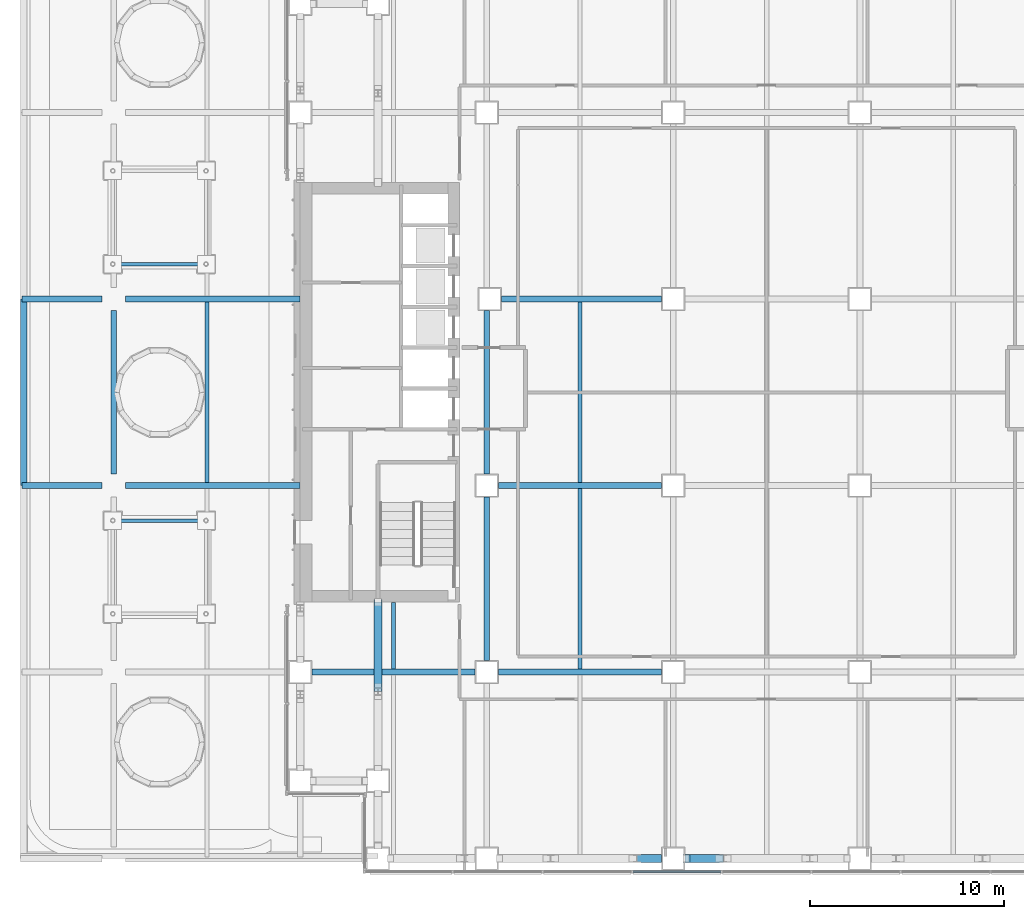
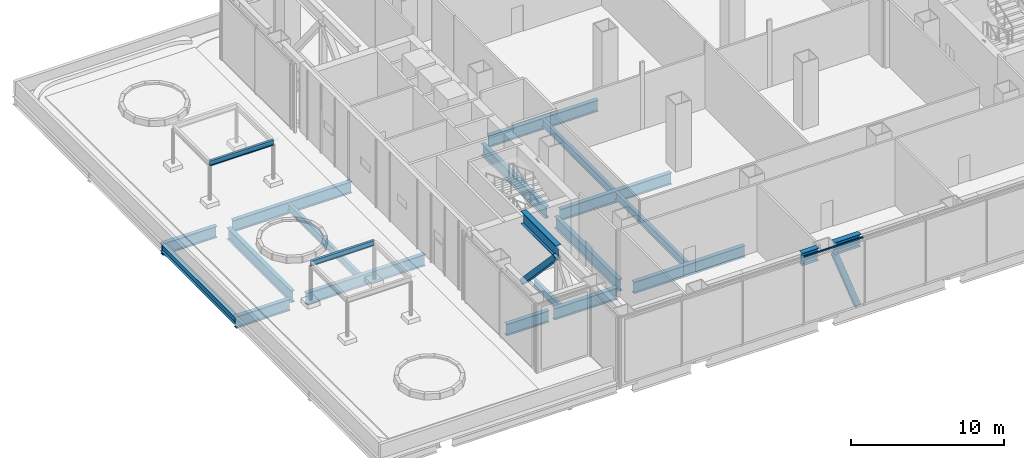
# One storey, part 8 of 39: 19 beams, 6 members, 1 element without a shape of its own.
"""IFC4 building model written with IfcOpenShell, lengths in metres."""

from ifc_helpers import new_model, si_unit, direction, frame, origin, origin_2d, place, context, subcontext, project, spatial, rectangle, hollow_rectangle, i_section, extrude, material, material_profile, profile_set, type_object, element, aggregate, save


model = new_model("IFC4")

# Units and contexts
model_context = context("Model", 3, precision=1e-05, world=origin(), true_north=direction((0.0, 1.0)))
body_context = subcontext(model_context, "Body", "Model", "MODEL_VIEW")
ifc_project = project(units=[si_unit("LENGTHUNIT", "METRE"), si_unit("AREAUNIT", "SQUARE_METRE"), si_unit("VOLUMEUNIT", "CUBIC_METRE"), si_unit("PLANEANGLEUNIT", "RADIAN"), si_unit("MASSUNIT", "GRAM", prefix="KILO")], contexts=[model_context])

# Site, building, storey
site_placement = place(None, origin())
site = spatial("IfcSite", under=ifc_project, at=site_placement, CompositionType="ELEMENT")
building_placement = place(site_placement, origin())
building = spatial("IfcBuilding", under=site, at=building_placement, Name="Cobrizo Arcos Hotel Tower", CompositionType="ELEMENT")
storey_placement = place(building_placement, frame((0.0, 0.0, 33.5)))
storey = spatial("IfcBuildingStorey", under=building, at=storey_placement, Name="L06", CompositionType="ELEMENT", Elevation=33.5)

# Curtain wall, member
ifc_material_1 = material(Name="Aluminium 6063-T6 anodised bronze", Category="aluminium")
curtain_wall_type = type_object("IfcCurtainWallType", Name="CW-D plant louvre wall", PredefinedType="NOTDEFINED", material=ifc_material_1)
curtain_wall_placement = place(storey_placement, origin())
curtain_wall = element("IfcCurtainWall", 1, at=curtain_wall_placement, inside=storey, type_object=curtain_wall_type, Name="CW-D L06 S face", PredefinedType="NOTDEFINED")
ifc_material_profile_1 = material_profile(ifc_material_1, rectangle(XDim=0.10009765625, YDim=0.10009765625, at=origin_2d()), Name="CW-D transom 100x100")
ifc_profile_set_1 = profile_set([ifc_material_profile_1], Name="Aluminium 6063-T6 anodised bronze")
member_type_1 = type_object("IfcMemberType", Name="CW-D transom 100x100", PredefinedType="USERDEFINED", material=ifc_profile_set_1)
member_1_placement = place(storey_placement, frame((-6.86669921875, -24.675048828125, 5.449951171875), z_axis=(1.0, 0.0, 0.0), x_axis=(0.0, 1.0, 0.0)))
member_1 = element("IfcMember", 2, at=member_1_placement, type_object=member_type_1, Name="CW-D transom 326", ObjectType="TRANSOM", PredefinedType="USERDEFINED", context=body_context, shape_type="SweptSolid", body=[
    extrude(rectangle(XDim=0.10009765625, YDim=0.10009765625, at=origin_2d()), origin(), (0.0, 0.0, 1.0), 4.51123046875),
])
aggregate(curtain_wall, [member_1])

# Members
ifc_material_2 = material(Name="Steel ASTM A500 Grade C", Category="steel")
ifc_material_profile_2 = material_profile(ifc_material_2, hollow_rectangle(XDim=0.406494140625, YDim=0.406494140625, WallThickness=0.014892578125, at=origin_2d()), Name="HSS16X16X5/8")
ifc_profile_set_2 = profile_set([ifc_material_profile_2], Name="Steel ASTM A500 Grade C")
member_type_2 = type_object("IfcMemberType", Name="HSS16X16X5/8 truss diagonal", PredefinedType="BRACE", material=ifc_profile_set_2)
member_2_placement = place(storey_placement, frame((-4.1201171875, -24.0, 4.359375), z_axis=(0.342395189483, 0.0, -0.939556030378), x_axis=(0.0, 1.0, 0.0)))
element("IfcMember", 3, at=member_2_placement, inside=storey, type_object=member_type_2, Name="Belt truss diagonal TD1, L06, no. 004", PredefinedType="BRACE", context=body_context, shape_type="SweptSolid", body=[
    extrude(hollow_rectangle(XDim=0.406494140625, YDim=0.406494140625, WallThickness=0.014892578125, at=origin_2d()), origin(), (0.0, 0.0, 1.0), 4.959228515625),
])
member_3_placement = place(storey_placement, frame((-20.0, -10.800048828125, -0.300048828125), z_axis=(0.0, -0.68656871731, 0.72706491898), x_axis=(1.0, 0.0, 0.0)))
element("IfcMember", 4, at=member_3_placement, inside=storey, type_object=member_type_2, Name="Outrigger diagonal TD1, L06, no. 007", PredefinedType="BRACE", context=body_context, shape_type="SweptSolid", body=[
    extrude(hollow_rectangle(XDim=0.406494140625, YDim=0.406494140625, WallThickness=0.014892578125, at=origin_2d()), origin(), (0.0, 0.0, 1.0), 6.408447265625),
])

# Beams
ifc_material_3 = material(Name="Steel ASTM A992 Grade 50", Category="steel")
ifc_material_profile_3 = material_profile(ifc_material_3, i_section(OverallWidth=0.177734375, OverallDepth=0.406494140625, WebThickness=0.0078125, FlangeThickness=0.0126953125, at=origin_2d()), Name="W16X40")
ifc_profile_set_3 = profile_set([ifc_material_profile_3], Name="Steel ASTM A992 Grade 50")
beam_type_1 = type_object("IfcBeamType", Name="W16X40 pavilion beam", PredefinedType="BEAM", material=ifc_profile_set_3)
for number, where, z_axis, x_axis, name in (
    (5, (-28.85009765625, -6.60009765625, 3.353271484375), (-1.0, 0.0, 0.0), (0.0, -1.0, 0.0), "Pavilion 1 beam 3"),
    (6, (-33.64990234375, 6.60009765625, 3.353271484375), (1.0, 0.0, 0.0), (0.0, 1.0, 0.0), "Pavilion 2 beam 1"),
):
    element("IfcBeam", number, at=place(storey_placement, frame(where, z_axis=z_axis, x_axis=x_axis)), inside=storey, type_object=beam_type_1, Name=name, PredefinedType="BEAM", context=body_context, shape_type="SweptSolid", body=[
        extrude(i_section(OverallWidth=0.177734375, OverallDepth=0.406494140625, WebThickness=0.0078125, FlangeThickness=0.0126953125, at=origin_2d()), origin(), (0.0, 0.0, 1.0), 4.7998046875),
    ])
ifc_material_profile_4 = material_profile(ifc_material_3, i_section(OverallWidth=0.32763671875, OverallDepth=0.622314453125, WebThickness=0.015380859375, FlangeThickness=0.0244140625, at=origin_2d()), Name="W24X131")
ifc_profile_set_4 = profile_set([ifc_material_profile_4], Name="Steel ASTM A992 Grade 50")
beam_type_2 = type_object("IfcBeamType", Name="W24X131 edge beam", PredefinedType="BEAM", material=ifc_profile_set_4)
beam_1_placement = place(storey_placement, frame((-38.236083984375, -4.800048828125, -0.611083984375), z_axis=(0.0, 1.0, 0.0), x_axis=(-1.0, 0.0, 0.0)))
element("IfcBeam", 7, at=beam_1_placement, inside=storey, type_object=beam_type_2, Name="Edge beam EB1, L06, no. 012", PredefinedType="BEAM", context=body_context, shape_type="SweptSolid", body=[
    extrude(i_section(OverallWidth=0.32763671875, OverallDepth=0.622314453125, WebThickness=0.015380859375, FlangeThickness=0.0244140625, at=origin_2d()), origin(), (0.0, 0.0, 1.0), 9.60009765625),
])
ifc_material_profile_5 = material_profile(ifc_material_3, i_section(OverallWidth=0.23046875, OverallDepth=0.6171875, WebThickness=0.01318359375, FlangeThickness=0.022216796875, at=origin_2d()), Name="W24X94")
ifc_profile_set_5 = profile_set([ifc_material_profile_5], Name="Steel ASTM A992 Grade 50")
beam_type_3 = type_object("IfcBeamType", Name="W24X94 podium joist", PredefinedType="JOIST", material=ifc_profile_set_5)
beam_2_placement = place(storey_placement, frame((-28.800048828125, -4.646240234375, -0.608642578125), z_axis=(0.0, 1.0, 0.0), x_axis=(-1.0, 0.0, 0.0)))
element("IfcBeam", 8, at=beam_2_placement, inside=storey, type_object=beam_type_3, Name="Podium joist PJ1, L06, no. 003", PredefinedType="JOIST", context=body_context, shape_type="SweptSolid", body=[
    extrude(i_section(OverallWidth=0.23046875, OverallDepth=0.6171875, WebThickness=0.01318359375, FlangeThickness=0.022216796875, at=origin_2d()), origin(), (0.0, 0.0, 1.0), 9.29248046875),
])
beam_3_placement = place(storey_placement, frame((-19.199951171875, -14.246337890625, -0.608642578125), z_axis=(0.0, 1.0, 0.0), x_axis=(-1.0, 0.0, 0.0)))
element("IfcBeam", 9, at=beam_3_placement, inside=storey, type_object=beam_type_3, Name="Podium joist PJ1, L06, no. 007", PredefinedType="JOIST", context=body_context, shape_type="SweptSolid", body=[
    extrude(i_section(OverallWidth=0.23046875, OverallDepth=0.6171875, WebThickness=0.01318359375, FlangeThickness=0.022216796875, at=origin_2d()), origin(), (0.0, 0.0, 1.0), 3.436279296875),
])
beam_4_placement = place(storey_placement, frame((-9.60009765625, -14.246337890625, -0.608642578125), z_axis=(0.0, 1.0, 0.0), x_axis=(-1.0, 0.0, 0.0)))
element("IfcBeam", 10, at=beam_4_placement, inside=storey, type_object=beam_type_3, Name="Podium joist PJ1, L06, no. 011", PredefinedType="JOIST", context=body_context, shape_type="SweptSolid", body=[
    extrude(i_section(OverallWidth=0.23046875, OverallDepth=0.6171875, WebThickness=0.01318359375, FlangeThickness=0.022216796875, at=origin_2d()), origin(), (0.0, 0.0, 1.0), 9.292724609375),
])
beam_5_placement = place(storey_placement, frame((-9.60009765625, -4.646240234375, -0.608642578125), z_axis=(0.0, 1.0, 0.0), x_axis=(-1.0, 0.0, 0.0)))
element("IfcBeam", 11, at=beam_5_placement, inside=storey, type_object=beam_type_3, Name="Podium joist PJ1, L06, no. 012", PredefinedType="JOIST", context=body_context, shape_type="SweptSolid", body=[
    extrude(i_section(OverallWidth=0.23046875, OverallDepth=0.6171875, WebThickness=0.01318359375, FlangeThickness=0.022216796875, at=origin_2d()), origin(), (0.0, 0.0, 1.0), 9.29248046875),
])
ifc_material_profile_6 = material_profile(ifc_material_3, i_section(OverallWidth=0.307373046875, OverallDepth=0.927001953125, WebThickness=0.01953125, FlangeThickness=0.031982421875, at=origin_2d()), Name="W36X194")
ifc_profile_set_6 = profile_set([ifc_material_profile_6], Name="Steel ASTM A992 Grade 50")
beam_type_4 = type_object("IfcBeamType", Name="W36X194 podium girder", PredefinedType="BEAM", material=ifc_profile_set_6)
beam_6_placement = place(storey_placement, frame((-23.39990234375, -14.39990234375, -0.763427734375), z_axis=(1.0, 0.0, 0.0), x_axis=(0.0, 1.0, 0.0)))
element("IfcBeam", 12, at=beam_6_placement, inside=storey, type_object=beam_type_4, Name="Podium girder PG1, L06, no. 003", PredefinedType="BEAM", context=body_context, shape_type="SweptSolid", body=[
    extrude(i_section(OverallWidth=0.307373046875, OverallDepth=0.927001953125, WebThickness=0.01953125, FlangeThickness=0.031982421875, at=origin_2d()), origin(), (0.0, 0.0, 1.0), 3.199462890625),
])
beam_7_placement = place(storey_placement, frame((-19.799560546875, -14.39990234375, -0.763427734375), z_axis=(1.0, 0.0, 0.0), x_axis=(0.0, 1.0, 0.0)))
element("IfcBeam", 13, at=beam_7_placement, inside=storey, type_object=beam_type_4, Name="Podium girder PG1, L06, no. 004", PredefinedType="BEAM", context=body_context, shape_type="SweptSolid", body=[
    extrude(i_section(OverallWidth=0.307373046875, OverallDepth=0.927001953125, WebThickness=0.01953125, FlangeThickness=0.031982421875, at=origin_2d()), origin(), (0.0, 0.0, 1.0), 4.799560546875),
])
beam_8_placement = place(storey_placement, frame((-13.800048828125, -14.39990234375, -0.763427734375), z_axis=(1.0, 0.0, 0.0), x_axis=(0.0, 1.0, 0.0)))
element("IfcBeam", 14, at=beam_8_placement, inside=storey, type_object=beam_type_4, Name="Podium girder PG1, L06, no. 005", PredefinedType="BEAM", context=body_context, shape_type="SweptSolid", body=[
    extrude(i_section(OverallWidth=0.307373046875, OverallDepth=0.927001953125, WebThickness=0.01953125, FlangeThickness=0.031982421875, at=origin_2d()), origin(), (0.0, 0.0, 1.0), 8.400146484375),
])
beam_9_placement = place(storey_placement, frame((-38.31005859375, -4.800048828125, -0.763427734375), z_axis=(1.0, 0.0, 0.0), x_axis=(0.0, 1.0, 0.0)))
element("IfcBeam", 15, at=beam_9_placement, inside=storey, type_object=beam_type_4, Name="Podium girder PG1, L06, no. 012", PredefinedType="BEAM", context=body_context, shape_type="SweptSolid", body=[
    extrude(i_section(OverallWidth=0.307373046875, OverallDepth=0.927001953125, WebThickness=0.01953125, FlangeThickness=0.031982421875, at=origin_2d()), origin(), (0.0, 0.0, 1.0), 4.110107421875),
])
beam_10_placement = place(storey_placement, frame((-33.0, -4.800048828125, -0.763427734375), z_axis=(1.0, 0.0, 0.0), x_axis=(0.0, 1.0, 0.0)))
element("IfcBeam", 16, at=beam_10_placement, inside=storey, type_object=beam_type_4, Name="Podium girder PG1, L06, no. 013", PredefinedType="BEAM", context=body_context, shape_type="SweptSolid", body=[
    extrude(i_section(OverallWidth=0.307373046875, OverallDepth=0.927001953125, WebThickness=0.01953125, FlangeThickness=0.031982421875, at=origin_2d()), origin(), (0.0, 0.0, 1.0), 8.989990234375),
])
beam_11_placement = place(storey_placement, frame((-13.800048828125, -4.800048828125, -0.763427734375), z_axis=(1.0, 0.0, 0.0), x_axis=(0.0, 1.0, 0.0)))
element("IfcBeam", 17, at=beam_11_placement, inside=storey, type_object=beam_type_4, Name="Podium girder PG1, L06, no. 014", PredefinedType="BEAM", context=body_context, shape_type="SweptSolid", body=[
    extrude(i_section(OverallWidth=0.307373046875, OverallDepth=0.927001953125, WebThickness=0.01953125, FlangeThickness=0.031982421875, at=origin_2d()), origin(), (0.0, 0.0, 1.0), 8.400146484375),
])
beam_12_placement = place(storey_placement, frame((-38.31005859375, 4.800048828125, -0.763427734375), z_axis=(1.0, 0.0, 0.0), x_axis=(0.0, 1.0, 0.0)))
element("IfcBeam", 18, at=beam_12_placement, inside=storey, type_object=beam_type_4, Name="Podium girder PG1, L06, no. 020", PredefinedType="BEAM", context=body_context, shape_type="SweptSolid", body=[
    extrude(i_section(OverallWidth=0.307373046875, OverallDepth=0.927001953125, WebThickness=0.01953125, FlangeThickness=0.031982421875, at=origin_2d()), origin(), (0.0, 0.0, 1.0), 4.110107421875),
])
beam_13_placement = place(storey_placement, frame((-33.0, 4.800048828125, -0.763427734375), z_axis=(1.0, 0.0, 0.0), x_axis=(0.0, 1.0, 0.0)))
element("IfcBeam", 19, at=beam_13_placement, inside=storey, type_object=beam_type_4, Name="Podium girder PG1, L06, no. 021", PredefinedType="BEAM", context=body_context, shape_type="SweptSolid", body=[
    extrude(i_section(OverallWidth=0.307373046875, OverallDepth=0.927001953125, WebThickness=0.01953125, FlangeThickness=0.031982421875, at=origin_2d()), origin(), (0.0, 0.0, 1.0), 8.989990234375),
])
beam_14_placement = place(storey_placement, frame((-13.64990234375, 4.800048828125, -0.763427734375), z_axis=(1.0, 0.0, 0.0), x_axis=(0.0, 1.0, 0.0)))
element("IfcBeam", 20, at=beam_14_placement, inside=storey, type_object=beam_type_4, Name="Podium girder PG1, L06, no. 022", PredefinedType="BEAM", context=body_context, shape_type="SweptSolid", body=[
    extrude(i_section(OverallWidth=0.307373046875, OverallDepth=0.927001953125, WebThickness=0.01953125, FlangeThickness=0.031982421875, at=origin_2d()), origin(), (0.0, 0.0, 1.0), 8.25),
])
beam_15_placement = place(storey_placement, frame((-33.60009765625, -4.199951171875, -0.763427734375), z_axis=(0.0, 1.0, 0.0), x_axis=(-1.0, 0.0, 0.0)))
element("IfcBeam", 21, at=beam_15_placement, inside=storey, type_object=beam_type_4, Name="Podium girder PG1, L06, no. 041", PredefinedType="BEAM", context=body_context, shape_type="SweptSolid", body=[
    extrude(i_section(OverallWidth=0.307373046875, OverallDepth=0.927001953125, WebThickness=0.01953125, FlangeThickness=0.031982421875, at=origin_2d()), origin(), (0.0, 0.0, 1.0), 8.39990234375),
])
beam_16_placement = place(storey_placement, frame((-14.39990234375, -13.800048828125, -0.763427734375), z_axis=(0.0, 1.0, 0.0), x_axis=(-1.0, 0.0, 0.0)))
element("IfcBeam", 22, at=beam_16_placement, inside=storey, type_object=beam_type_4, Name="Podium girder PG1, L06, no. 047", PredefinedType="BEAM", context=body_context, shape_type="SweptSolid", body=[
    extrude(i_section(OverallWidth=0.307373046875, OverallDepth=0.927001953125, WebThickness=0.01953125, FlangeThickness=0.031982421875, at=origin_2d()), origin(), (0.0, 0.0, 1.0), 8.400146484375),
])
beam_17_placement = place(storey_placement, frame((-14.39990234375, -4.199951171875, -0.763427734375), z_axis=(0.0, 1.0, 0.0), x_axis=(-1.0, 0.0, 0.0)))
element("IfcBeam", 23, at=beam_17_placement, inside=storey, type_object=beam_type_4, Name="Podium girder PG1, L06, no. 048", PredefinedType="BEAM", context=body_context, shape_type="SweptSolid", body=[
    extrude(i_section(OverallWidth=0.307373046875, OverallDepth=0.927001953125, WebThickness=0.01953125, FlangeThickness=0.031982421875, at=origin_2d()), origin(), (0.0, 0.0, 1.0), 8.39990234375),
])

# Members
ifc_material_profile_7 = material_profile(ifc_material_3, i_section(OverallWidth=0.4013671875, OverallDepth=0.990478515625, WebThickness=0.0166015625, FlangeThickness=0.025390625, at=origin_2d()), Name="W40X215")
ifc_profile_set_7 = profile_set([ifc_material_profile_7], Name="Steel ASTM A992 Grade 50")
member_type_3 = type_object("IfcMemberType", Name="W40X215 belt truss chord", PredefinedType="CHORD", material=ifc_profile_set_7)
member_4_placement = place(storey_placement, frame((-6.6669921875, -24.0, 4.854736328125), z_axis=(1.0, 0.0, 0.0), x_axis=(0.0, 1.0, 0.0)))
element("IfcMember", 24, at=member_4_placement, inside=storey, type_object=member_type_3, Name="Belt truss top chord TC1, L06, no. 004", PredefinedType="CHORD", context=body_context, shape_type="SweptSolid", body=[
    extrude(i_section(OverallWidth=0.4013671875, OverallDepth=0.990478515625, WebThickness=0.0166015625, FlangeThickness=0.025390625, at=origin_2d()), origin(), (0.0, 0.0, 1.0), 1.26708984375),
])
member_5_placement = place(storey_placement, frame((-4.199951171875, -24.0, 4.854736328125), z_axis=(1.0, 0.0, 0.0), x_axis=(0.0, 1.0, 0.0)))
element("IfcMember", 25, at=member_5_placement, inside=storey, type_object=member_type_3, Name="Belt truss top chord TC1, L06, no. 005", PredefinedType="CHORD", context=body_context, shape_type="SweptSolid", body=[
    extrude(i_section(OverallWidth=0.4013671875, OverallDepth=0.990478515625, WebThickness=0.0166015625, FlangeThickness=0.025390625, at=origin_2d()), origin(), (0.0, 0.0, 1.0), 1.97802734375),
])
member_6_placement = place(storey_placement, frame((-20.0, -10.800048828125, 4.854736328125), z_axis=(0.0, -1.0, 0.0), x_axis=(1.0, 0.0, 0.0)))
element("IfcMember", 26, at=member_6_placement, inside=storey, type_object=member_type_3, Name="Outrigger top chord TC1, L06, no. 007", PredefinedType="CHORD", context=body_context, shape_type="SweptSolid", body=[
    extrude(i_section(OverallWidth=0.4013671875, OverallDepth=0.990478515625, WebThickness=0.0166015625, FlangeThickness=0.025390625, at=origin_2d()), origin(), (0.0, 0.0, 1.0), 4.599853515625),
])

save(model, "model.ifc")
